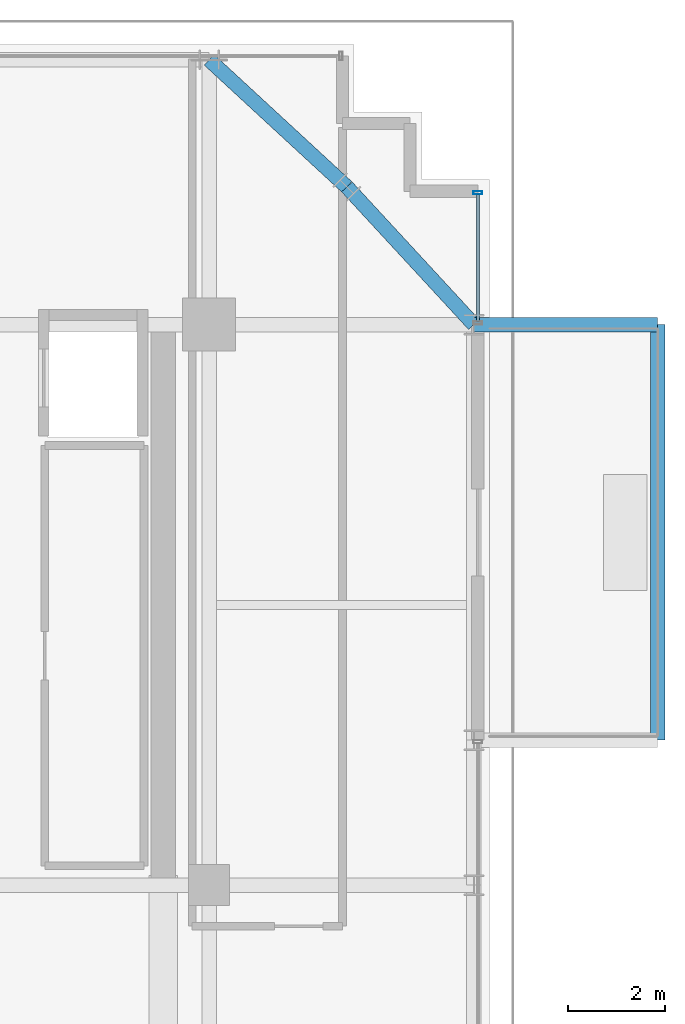
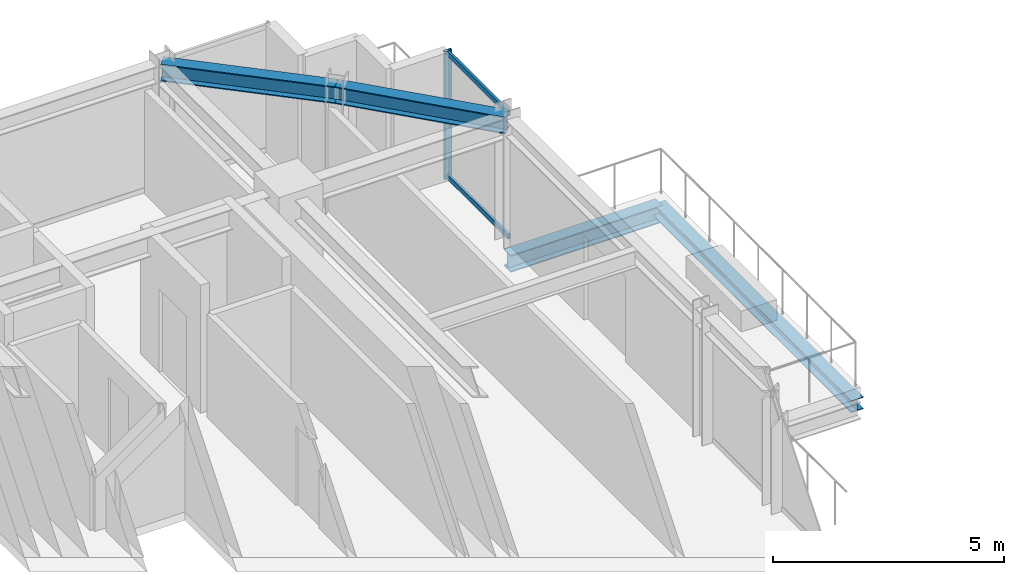
# One storey, part 22 of 33: 4 beams, 3 members, 1 element without a shape of its own.
"""IFC4 building model written with IfcOpenShell, lengths in metres."""

from ifc_helpers import new_model, si_unit, direction, frame, origin, origin_2d, place, context, subcontext, project, spatial, hollow_rectangle, i_section, extrude, source, transform, mapped, material, material_profile, profile_set, type_object, element, aggregate, save


model = new_model("IFC4")

# Units and contexts
model_context = context("Model", 3, precision=1e-05, world=origin(), true_north=direction((0.0, 1.0)))
body_context = subcontext(model_context, "Body", "Model", "MODEL_VIEW")
ifc_project = project(units=[si_unit("LENGTHUNIT", "METRE"), si_unit("AREAUNIT", "SQUARE_METRE"), si_unit("VOLUMEUNIT", "CUBIC_METRE"), si_unit("PLANEANGLEUNIT", "RADIAN"), si_unit("MASSUNIT", "GRAM", prefix="KILO")], contexts=[model_context])

# Site, building, storey
site_placement = place(None, origin())
site = spatial("IfcSite", under=ifc_project, at=site_placement, CompositionType="ELEMENT")
building_placement = place(site_placement, origin())
building = spatial("IfcBuilding", under=site, at=building_placement, Name="Nahalor Promenade Grand Hotel", CompositionType="ELEMENT")
storey_placement = place(building_placement, frame((0.0, 0.0, 149.0)))
storey = spatial("IfcBuildingStorey", under=building, at=storey_placement, Name="L37", CompositionType="ELEMENT", Elevation=149.0)

# Beams
ifc_material_1 = material(Name="Steel S355JR", Category="steel")
ifc_material_profile_1 = material_profile(ifc_material_1, i_section(OverallWidth=0.3, OverallDepth=0.32, WebThickness=0.0115, FlangeThickness=0.0205, at=origin_2d()), Name="HEB 320")
ifc_profile_set_1 = profile_set([ifc_material_profile_1], Name="Steel S355JR")
beam_type_1 = type_object("IfcBeamType", Name="Beam-BalcEdge-HEB320", PredefinedType="SPANDREL", material=ifc_profile_set_1)
shared_shape_1 = source(origin(), body_context, "Body", "SweptSolid", [
    extrude(i_section(OverallWidth=0.3, OverallDepth=0.32, WebThickness=0.0115, FlangeThickness=0.0205, at=origin_2d()), origin(), (0.0, 0.0, 1.0), 8.60009765625),
])
beam_1_placement = place(storey_placement, frame((26.280029296875, 8.39990234375, -0.43994140625), z_axis=(0.0, 1.0, 0.0), x_axis=(-1.0, 0.0, 0.0)))
element("IfcBeam", 1, at=beam_1_placement, inside=storey, type_object=beam_type_1, Name="BM-L37-BC-02-F", PredefinedType="SPANDREL", context=body_context, shape_type="MappedRepresentation", body=[
    mapped(shared_shape_1, transform((0.0, 0.0, 0.0), scale=1.0)),
])
ifc_material_profile_2 = material_profile(ifc_material_1, i_section(OverallWidth=0.3, OverallDepth=0.45, WebThickness=0.014, FlangeThickness=0.026, at=origin_2d()), Name="HEB 450")
ifc_profile_set_2 = profile_set([ifc_material_profile_2], Name="Steel S355JR")
beam_type_2 = type_object("IfcBeamType", Name="Beam-Outrigger-HEB450", PredefinedType="BEAM", material=ifc_profile_set_2)
shared_shape_2 = source(origin(), body_context, "Body", "SweptSolid", [
    extrude(i_section(OverallWidth=0.3, OverallDepth=0.45, WebThickness=0.014, FlangeThickness=0.026, at=origin_2d()), origin(), (0.0, 0.0, 1.0), 3.800048828125),
])
beam_2_placement = place(storey_placement, frame((22.47998046875, 17.0, -0.5048828125), z_axis=(1.0, 0.0, 0.0), x_axis=(0.0, 1.0, 0.0)))
element("IfcBeam", 2, at=beam_2_placement, inside=storey, type_object=beam_type_2, Name="BM-L37-BC-02-2", PredefinedType="BEAM", context=body_context, shape_type="MappedRepresentation", body=[
    mapped(shared_shape_2, transform((0.0, 0.0, 0.0), scale=1.0)),
])
ifc_material_profile_3 = material_profile(ifc_material_1, i_section(OverallWidth=0.3, OverallDepth=0.45, WebThickness=0.014, FlangeThickness=0.026, at=origin_2d()), Name="HEB 450")
ifc_profile_set_3 = profile_set([ifc_material_profile_3], Name="Steel S355JR")
beam_type_3 = type_object("IfcBeamType", Name="Beam-Spandrel-HEB450", PredefinedType="SPANDREL", material=ifc_profile_set_3)
shared_shape_3 = source(origin(), body_context, "Body", "SweptSolid", [
    extrude(i_section(OverallWidth=0.3, OverallDepth=0.45, WebThickness=0.014, FlangeThickness=0.026, at=origin_2d()), origin(), (0.0, 0.0, 1.0), 3.878173828125),
])
for number, where, z_axis, x_axis, name in (
    (3, (17.0, 22.47998046875, 3.1650390625), (0.73492893846, -0.678144125843, 0.0), (0.678144125843, 0.73492893846, 0.0), "BM-L37-SPC-NE-1"),
    (4, (19.85009765625, 19.85009765625, 3.1650390625), (0.678144125843, -0.73492893846, 0.0), (0.73492893846, 0.678144125843, 0.0), "BM-L37-SPC-NE-2"),
):
    element("IfcBeam", number, at=place(storey_placement, frame(where, z_axis=z_axis, x_axis=x_axis)), inside=storey, type_object=beam_type_3, Name=name, PredefinedType="SPANDREL", context=body_context, shape_type="MappedRepresentation", body=[
        mapped(shared_shape_3, transform((0.0, 0.0, 0.0), scale=1.0)),
    ])

# Curtain wall, members
ifc_material_2 = material(Name="Anodised Bronze Aluminium EN AW-6063 T6", Category="aluminium")
curtain_wall_type = type_object("IfcCurtainWallType", Name="CW2 Typical Hotel Flush Bronze Unitised Curtain Wall", PredefinedType="USERDEFINED", material=ifc_material_2)
curtain_wall_placement = place(storey_placement, origin())
curtain_wall = element("IfcCurtainWall", 5, at=curtain_wall_placement, inside=storey, type_object=curtain_wall_type, Name="L37 Curtain Wall CW-L37-E-3", ObjectType="UNITISED_CURTAIN_WALL", PredefinedType="USERDEFINED")
ifc_material_profile_4 = material_profile(ifc_material_2, hollow_rectangle(XDim=0.065, YDim=0.18, WallThickness=0.004, at=origin_2d()), Name="CWM 65x180x4")
ifc_profile_set_4 = profile_set([ifc_material_profile_4], Name="Anodised Bronze Aluminium EN AW-6063 T6")
member_type_1 = type_object("IfcMemberType", Name="CWM2 Typical Bronze Mullion 65x180", PredefinedType="MULLION", material=ifc_profile_set_4)
shared_shape_4 = source(origin(), body_context, "Body", "SweptSolid", [
    extrude(hollow_rectangle(XDim=0.065, YDim=0.18, WallThickness=0.004, at=origin_2d()), origin(), (0.0, 0.0, 1.0), 3.389892578125),
])
member_1_placement = place(storey_placement, frame((22.56005859375, 19.7275390625, 0.0), z_axis=(0.0, 0.0, 1.0), x_axis=(0.0, 1.0, 0.0)))
member_1 = element("IfcMember", 6, at=member_1_placement, type_object=member_type_1, Name="CW-L37-E-3 Mullion 1", PredefinedType="MULLION", context=body_context, shape_type="MappedRepresentation", body=[
    mapped(shared_shape_4, transform((0.0, 0.0, 0.0), scale=1.0)),
])
ifc_material_profile_5 = material_profile(ifc_material_2, hollow_rectangle(XDim=0.065, YDim=0.13, WallThickness=0.004, at=origin_2d()), Name="CWT 65x130x4")
ifc_profile_set_5 = profile_set([ifc_material_profile_5], Name="Anodised Bronze Aluminium EN AW-6063 T6")
member_type_2 = type_object("IfcMemberType", Name="CWT2 Typical Bronze Transom 65x130", PredefinedType="USERDEFINED", material=ifc_profile_set_5)
shared_shape_5 = source(origin(), body_context, "Body", "SweptSolid", [
    extrude(hollow_rectangle(XDim=0.065, YDim=0.13, WallThickness=0.004, at=origin_2d()), origin(), (0.0, 0.0, 1.0), 2.630126953125),
])
member_2_placement = place(storey_placement, frame((22.56005859375, 17.06494140625, 0.06494140625), z_axis=(0.0, 1.0, 0.0), x_axis=(-1.0, 0.0, 0.0)))
member_2 = element("IfcMember", 7, at=member_2_placement, type_object=member_type_2, Name="CW-L37-E-3 Transom 0-0", ObjectType="TRANSOM", PredefinedType="USERDEFINED", context=body_context, shape_type="MappedRepresentation", body=[
    mapped(shared_shape_5, transform((0.0, 0.0, 0.0), scale=1.0)),
])
member_3_placement = place(storey_placement, frame((22.56005859375, 17.06494140625, 3.324951171875), z_axis=(0.0, 1.0, 0.0), x_axis=(-1.0, 0.0, 0.0)))
member_3 = element("IfcMember", 8, at=member_3_placement, type_object=member_type_2, Name="CW-L37-E-3 Transom 0-1", ObjectType="TRANSOM", PredefinedType="USERDEFINED", context=body_context, shape_type="MappedRepresentation", body=[
    mapped(shared_shape_5, transform((0.0, 0.0, 0.0), scale=1.0)),
])
aggregate(curtain_wall, [member_1, member_2, member_3])

save(model, "model.ifc")
